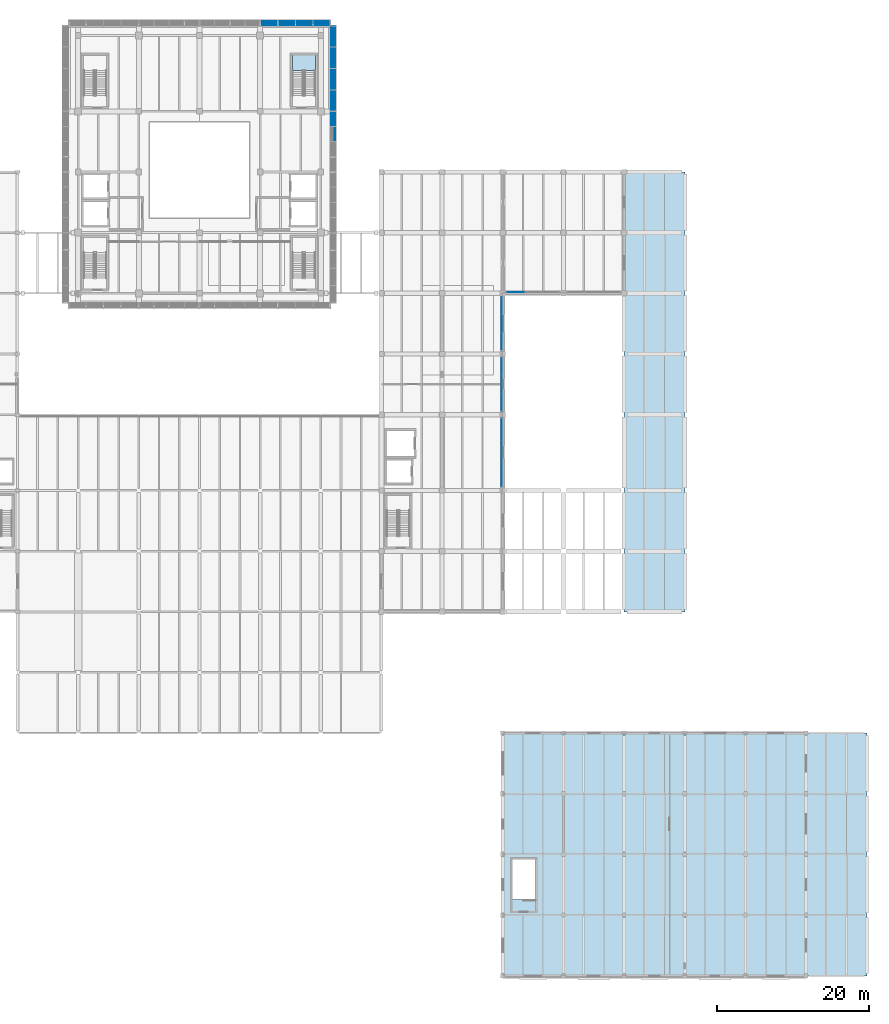
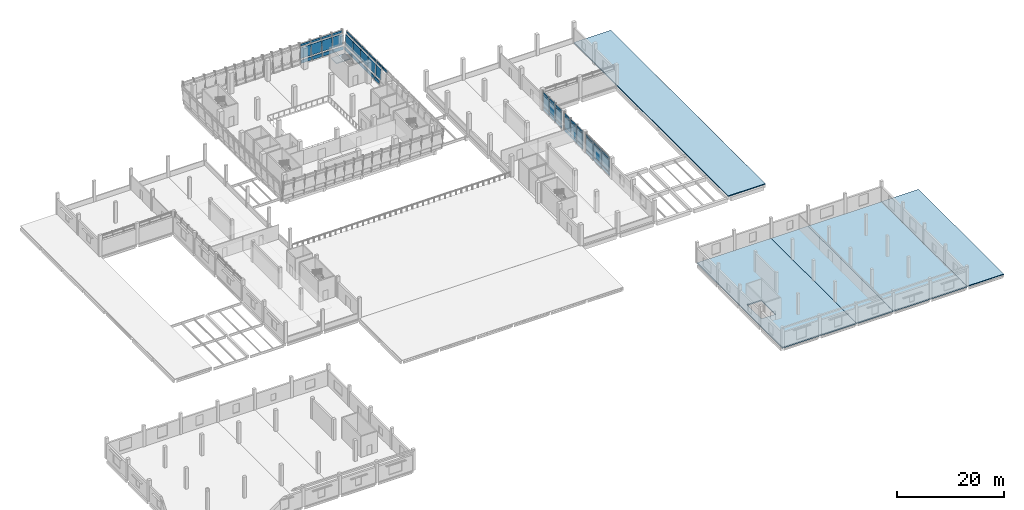
# One storey, part 26 of 52: 56 plates, 6 slabs, 8 elements without a shape of their own.
"""IFC4 building model written with IfcOpenShell, lengths in metres."""

from ifc_helpers import new_model, si_unit, direction, frame, origin, origin_2d, place, context, subcontext, project, spatial, polyline, rectangle, outline, extrude, material, layer, layer_set, type_object, element, aggregate, save


model = new_model("IFC4")

# Units and contexts
model_context = context("Model", 3, precision=1e-05, world=origin(), true_north=direction((0.0, 1.0)))
body_context = subcontext(model_context, "Body", "Model", "MODEL_VIEW")
ifc_project = project(units=[si_unit("LENGTHUNIT", "METRE"), si_unit("AREAUNIT", "SQUARE_METRE"), si_unit("VOLUMEUNIT", "CUBIC_METRE"), si_unit("PLANEANGLEUNIT", "RADIAN"), si_unit("MASSUNIT", "GRAM", prefix="KILO")], contexts=[model_context])

# Site, building, storey
site_placement = place(None, origin())
site = spatial("IfcSite", under=ifc_project, at=site_placement, CompositionType="ELEMENT")
building_placement = place(site_placement, origin())
building = spatial("IfcBuilding", under=site, at=building_placement, Name="Pecanmere Concourse Central Library", CompositionType="ELEMENT")
storey_placement = place(building_placement, frame((0.0, 0.0, 10.5)))
storey = spatial("IfcBuildingStorey", under=building, at=storey_placement, Name="L03", CompositionType="ELEMENT", Elevation=10.5)

# Curtain wall, plates
ifc_material_1 = material(Name="Clear anodized aluminium alloy 6063-T6", Category="aluminium")
curtain_wall_type_1 = type_object("IfcCurtainWallType", Name="CW_CLOISTER_GLAZ", PredefinedType="USERDEFINED", material=ifc_material_1)
curtain_wall_1_placement = place(storey_placement, origin())
curtain_wall_1 = element("IfcCurtainWall", 1, at=curtain_wall_1_placement, inside=storey, type_object=curtain_wall_type_1, Name="Unitised Curtain Wall CW-04 L03-129", ObjectType="UNITISED CURTAIN WALL", PredefinedType="USERDEFINED")
ifc_material_2 = material(Name="White ceramic-fritted insulated spandrel glazing", Category="glass")
ifc_layer_1 = layer(ifc_material_2, 0.053955078125, Name="CWP_SPN_54")
ifc_layer_set_1 = layer_set([ifc_layer_1], Name="White ceramic-fritted insulated spandrel glazing")
plate_type_1 = type_object("IfcPlateType", Name="CWP_SPN_54", PredefinedType="CURTAIN_PANEL", material=ifc_layer_set_1)
plate_1_placement = place(storey_placement, frame((127.85009765625, 66.001708984375, 0.139892578125), z_axis=(0.0, 0.0, 1.0), x_axis=(0.0, 1.0, 0.0)))
plate_1 = element("IfcPlate", 2, at=plate_1_placement, type_object=plate_type_1, Name="CW-04 Spandrel Panel 1.1", PredefinedType="CURTAIN_PANEL", context=body_context, shape_type="SweptSolid", body=[
    extrude(rectangle(XDim=2.92333984375, YDim=0.035888671875, at=origin_2d()), origin(), (0.0, 0.0, 1.0), 0.7900390625),
])
plate_2_placement = place(storey_placement, frame((127.85009765625, 69.0, 0.139892578125), z_axis=(0.0, 0.0, 1.0), x_axis=(0.0, 1.0, 0.0)))
plate_2 = element("IfcPlate", 3, at=plate_2_placement, type_object=plate_type_1, Name="CW-04 Spandrel Panel 2.1", PredefinedType="CURTAIN_PANEL", context=body_context, shape_type="SweptSolid", body=[
    extrude(rectangle(XDim=2.953369140625, YDim=0.035888671875, at=origin_2d()), origin(), (0.0, 0.0, 1.0), 0.7900390625),
])
plate_3_placement = place(storey_placement, frame((127.85009765625, 71.998291015625, 0.139892578125), z_axis=(0.0, 0.0, 1.0), x_axis=(0.0, 1.0, 0.0)))
plate_3 = element("IfcPlate", 4, at=plate_3_placement, type_object=plate_type_1, Name="CW-04 Spandrel Panel 3.1", PredefinedType="CURTAIN_PANEL", context=body_context, shape_type="SweptSolid", body=[
    extrude(rectangle(XDim=2.92333984375, YDim=0.035888671875, at=origin_2d()), origin(), (0.0, 0.0, 1.0), 0.7900390625),
])

curtain_wall_2_placement = place(storey_placement, origin())
curtain_wall_2 = element("IfcCurtainWall", 5, at=curtain_wall_2_placement, inside=storey, type_object=curtain_wall_type_1, Name="Unitised Curtain Wall CW-04 L03-131", ObjectType="UNITISED CURTAIN WALL", PredefinedType="USERDEFINED")
plate_4_placement = place(storey_placement, frame((127.85009765625, 75.668212890625, 0.139892578125), z_axis=(0.0, 0.0, 1.0), x_axis=(0.0, 1.0, 0.0)))
plate_4 = element("IfcPlate", 6, at=plate_4_placement, type_object=plate_type_1, Name="CW-04 Spandrel Panel 1.1", PredefinedType="CURTAIN_PANEL", context=body_context, shape_type="SweptSolid", body=[
    extrude(rectangle(XDim=2.256591796875, YDim=0.035888671875, at=origin_2d()), origin(), (0.0, 0.0, 1.0), 0.7900390625),
])
plate_5_placement = place(storey_placement, frame((127.85009765625, 78.0, 0.139892578125), z_axis=(0.0, 0.0, 1.0), x_axis=(0.0, 1.0, 0.0)))
plate_5 = element("IfcPlate", 7, at=plate_5_placement, type_object=plate_type_1, Name="CW-04 Spandrel Panel 2.1", PredefinedType="CURTAIN_PANEL", context=body_context, shape_type="SweptSolid", body=[
    extrude(rectangle(XDim=2.28662109375, YDim=0.035888671875, at=origin_2d()), origin(), (0.0, 0.0, 1.0), 0.7900390625),
])
plate_6_placement = place(storey_placement, frame((127.85009765625, 80.331787109375, 0.139892578125), z_axis=(0.0, 0.0, 1.0), x_axis=(0.0, 1.0, 0.0)))
plate_6 = element("IfcPlate", 8, at=plate_6_placement, type_object=plate_type_1, Name="CW-04 Spandrel Panel 3.1", PredefinedType="CURTAIN_PANEL", context=body_context, shape_type="SweptSolid", body=[
    extrude(rectangle(XDim=2.256591796875, YDim=0.035888671875, at=origin_2d()), origin(), (0.0, 0.0, 1.0), 0.7900390625),
])

curtain_wall_3_placement = place(storey_placement, origin())
curtain_wall_3 = element("IfcCurtainWall", 9, at=curtain_wall_3_placement, inside=storey, type_object=curtain_wall_type_1, Name="Unitised Curtain Wall CW-04 L03-133", ObjectType="UNITISED CURTAIN WALL", PredefinedType="USERDEFINED")
plate_7_placement = place(storey_placement, frame((127.85009765625, 83.668212890625, 0.139892578125), z_axis=(0.0, 0.0, 1.0), x_axis=(0.0, 1.0, 0.0)))
plate_7 = element("IfcPlate", 10, at=plate_7_placement, type_object=plate_type_1, Name="CW-04 Spandrel Panel 1.1", PredefinedType="CURTAIN_PANEL", context=body_context, shape_type="SweptSolid", body=[
    extrude(rectangle(XDim=2.256591796875, YDim=0.035888671875, at=origin_2d()), origin(), (0.0, 0.0, 1.0), 0.7900390625),
])
plate_8_placement = place(storey_placement, frame((127.85009765625, 86.0, 0.139892578125), z_axis=(0.0, 0.0, 1.0), x_axis=(0.0, 1.0, 0.0)))
plate_8 = element("IfcPlate", 11, at=plate_8_placement, type_object=plate_type_1, Name="CW-04 Spandrel Panel 2.1", PredefinedType="CURTAIN_PANEL", context=body_context, shape_type="SweptSolid", body=[
    extrude(rectangle(XDim=2.28662109375, YDim=0.035888671875, at=origin_2d()), origin(), (0.0, 0.0, 1.0), 0.7900390625),
])
plate_9_placement = place(storey_placement, frame((127.85009765625, 88.331787109375, 0.139892578125), z_axis=(0.0, 0.0, 1.0), x_axis=(0.0, 1.0, 0.0)))
plate_9 = element("IfcPlate", 12, at=plate_9_placement, type_object=plate_type_1, Name="CW-04 Spandrel Panel 3.1", PredefinedType="CURTAIN_PANEL", context=body_context, shape_type="SweptSolid", body=[
    extrude(rectangle(XDim=2.256591796875, YDim=0.035888671875, at=origin_2d()), origin(), (0.0, 0.0, 1.0), 0.7900390625),
])

# Curtain wall, plate
curtain_wall_4_placement = place(storey_placement, origin())
curtain_wall_4 = element("IfcCurtainWall", 13, at=curtain_wall_4_placement, inside=storey, type_object=curtain_wall_type_1, Name="Unitised Curtain Wall CW-04 L03-135", ObjectType="UNITISED CURTAIN WALL", PredefinedType="USERDEFINED")
plate_10_placement = place(storey_placement, frame((129.668212890625, 90.14990234375, 0.139892578125), z_axis=(0.0, 0.0, 1.0), x_axis=(-1.0, 0.0, 0.0)))
plate_10 = element("IfcPlate", 14, at=plate_10_placement, type_object=plate_type_1, Name="CW-04 Spandrel Panel 3.1", PredefinedType="CURTAIN_PANEL", context=body_context, shape_type="SweptSolid", body=[
    extrude(rectangle(XDim=2.256591796875, YDim=0.035888671875, at=origin_2d()), origin(), (0.0, 0.0, 1.0), 0.7900390625),
])
aggregate(curtain_wall_4, [plate_10])

# Curtain wall, plates
ifc_material_3 = material(Name="Anodized bronze aluminium alloy 6063-T6", Category="aluminium")
curtain_wall_type_2 = type_object("IfcCurtainWallType", Name="CW_LEAN_BANDED", PredefinedType="USERDEFINED", material=ifc_material_3)
curtain_wall_5_placement = place(storey_placement, origin())
curtain_wall_5 = element("IfcCurtainWall", 15, at=curtain_wall_5_placement, inside=storey, type_object=curtain_wall_type_2, Name="Unitised Curtain Wall CW-01 L03-022", ObjectType="UNITISED CURTAIN WALL", PredefinedType="USERDEFINED")
ifc_material_4 = material(Name="White ceramic-fritted insulated spandrel glazing", Category="glass")
ifc_layer_2 = layer(ifc_material_4, 0.06396484375, Name="CWP_SPN_64")
ifc_layer_set_2 = layer_set([ifc_layer_2], Name="White ceramic-fritted insulated spandrel glazing")
plate_type_2 = type_object("IfcPlateType", Name="CWP_SPN_64", PredefinedType="CURTAIN_PANEL", material=ifc_layer_set_2)
plate_11_placement = place(storey_placement, frame((104.102783203125, 125.39697265625, 0.18017578125), z_axis=(0.0, 0.0, 1.0), x_axis=(-1.0, 0.0, 0.0)))
plate_11 = element("IfcPlate", 16, at=plate_11_placement, type_object=plate_type_2, Name="CW-01 Spandrel Panel 1.1", PredefinedType="CURTAIN_PANEL", context=body_context, shape_type="SweptSolid", body=[
    extrude(rectangle(XDim=2.20654296875, YDim=0.0419921875, at=origin_2d()), origin(), (0.0, 0.0, 1.0), 0.780029296875),
])
plate_12_placement = place(storey_placement, frame((101.802490234375, 125.39697265625, 0.18017578125), z_axis=(0.0, 0.0, 1.0), x_axis=(-1.0, 0.0, 0.0)))
plate_12 = element("IfcPlate", 17, at=plate_12_placement, type_object=plate_type_2, Name="CW-01 Spandrel Panel 2.1", PredefinedType="CURTAIN_PANEL", context=body_context, shape_type="SweptSolid", body=[
    extrude(rectangle(XDim=2.243896484375, YDim=0.0419921875, at=origin_2d()), origin(), (0.0, 0.0, 1.0), 0.780029296875),
])
plate_13_placement = place(storey_placement, frame((99.4833984375, 125.39697265625, 0.18017578125), z_axis=(0.0, 0.0, 1.0), x_axis=(-1.0, 0.0, 0.0)))
plate_13 = element("IfcPlate", 18, at=plate_13_placement, type_object=plate_type_2, Name="CW-01 Spandrel Panel 3.1", PredefinedType="CURTAIN_PANEL", context=body_context, shape_type="SweptSolid", body=[
    extrude(rectangle(XDim=2.243896484375, YDim=0.0419921875, at=origin_2d()), origin(), (0.0, 0.0, 1.0), 0.780029296875),
])
plate_14_placement = place(storey_placement, frame((97.183349609375, 125.39697265625, 0.18017578125), z_axis=(0.0, 0.0, 1.0), x_axis=(-1.0, 0.0, 0.0)))
plate_14 = element("IfcPlate", 19, at=plate_14_placement, type_object=plate_type_2, Name="CW-01 Spandrel Panel 4.1", PredefinedType="CURTAIN_PANEL", context=body_context, shape_type="SweptSolid", body=[
    extrude(rectangle(XDim=2.20654296875, YDim=0.0419921875, at=origin_2d()), origin(), (0.0, 0.0, 1.0), 0.780029296875),
])

# Curtain wall, plate
curtain_wall_6_placement = place(storey_placement, origin())
curtain_wall_6 = element("IfcCurtainWall", 20, at=curtain_wall_6_placement, inside=storey, type_object=curtain_wall_type_2, Name="Unitised Curtain Wall CW-01 L03-032", ObjectType="UNITISED CURTAIN WALL", PredefinedType="USERDEFINED")
plate_15_placement = place(storey_placement, frame((105.39697265625, 112.9775390625, 0.18017578125), z_axis=(0.0, 0.0, 1.0), x_axis=(0.0, 1.0, 0.0)))
plate_15 = element("IfcPlate", 21, at=plate_15_placement, type_object=plate_type_2, Name="CW-01 Spandrel Panel 4.1", PredefinedType="CURTAIN_PANEL", context=body_context, shape_type="SweptSolid", body=[
    extrude(rectangle(XDim=1.885009765625, YDim=0.0419921875, at=origin_2d()), origin(), (0.0, 0.0, 1.0), 0.780029296875),
])

# Curtain wall, plates
curtain_wall_7_placement = place(storey_placement, origin())
curtain_wall_7 = element("IfcCurtainWall", 22, at=curtain_wall_7_placement, inside=storey, type_object=curtain_wall_type_2, Name="Unitised Curtain Wall CW-01 L03-033", ObjectType="UNITISED CURTAIN WALL", PredefinedType="USERDEFINED")
plate_16_placement = place(storey_placement, frame((105.39697265625, 115.433349609375, 0.18017578125), z_axis=(0.0, 0.0, 1.0), x_axis=(0.0, 1.0, 0.0)))
plate_16 = element("IfcPlate", 23, at=plate_16_placement, type_object=plate_type_2, Name="CW-01 Spandrel Panel 1.1", PredefinedType="CURTAIN_PANEL", context=body_context, shape_type="SweptSolid", body=[
    extrude(rectangle(XDim=2.70654296875, YDim=0.0419921875, at=origin_2d()), origin(), (0.0, 0.0, 1.0), 0.780029296875),
])
plate_17_placement = place(storey_placement, frame((105.39697265625, 118.2333984375, 0.18017578125), z_axis=(0.0, 0.0, 1.0), x_axis=(0.0, 1.0, 0.0)))
plate_17 = element("IfcPlate", 24, at=plate_17_placement, type_object=plate_type_2, Name="CW-01 Spandrel Panel 2.1", PredefinedType="CURTAIN_PANEL", context=body_context, shape_type="SweptSolid", body=[
    extrude(rectangle(XDim=2.743896484375, YDim=0.0419921875, at=origin_2d()), origin(), (0.0, 0.0, 1.0), 0.780029296875),
])
plate_18_placement = place(storey_placement, frame((105.39697265625, 121.052490234375, 0.18017578125), z_axis=(0.0, 0.0, 1.0), x_axis=(0.0, 1.0, 0.0)))
plate_18 = element("IfcPlate", 25, at=plate_18_placement, type_object=plate_type_2, Name="CW-01 Spandrel Panel 3.1", PredefinedType="CURTAIN_PANEL", context=body_context, shape_type="SweptSolid", body=[
    extrude(rectangle(XDim=2.743896484375, YDim=0.0419921875, at=origin_2d()), origin(), (0.0, 0.0, 1.0), 0.780029296875),
])
plate_19_placement = place(storey_placement, frame((105.39697265625, 123.852783203125, 0.18017578125), z_axis=(0.0, 0.0, 1.0), x_axis=(0.0, 1.0, 0.0)))
plate_19 = element("IfcPlate", 26, at=plate_19_placement, type_object=plate_type_2, Name="CW-01 Spandrel Panel 4.1", PredefinedType="CURTAIN_PANEL", context=body_context, shape_type="SweptSolid", body=[
    extrude(rectangle(XDim=2.70654296875, YDim=0.0419921875, at=origin_2d()), origin(), (0.0, 0.0, 1.0), 0.780029296875),
])

# Plate
ifc_material_5 = material(Name="Low-iron clear insulated glazing", Category="glass")
ifc_layer_3 = layer(ifc_material_5, 0.035888671875, Name="CWP_VIS_36")
ifc_layer_set_3 = layer_set([ifc_layer_3], Name="Low-iron clear insulated glazing")
plate_type_3 = type_object("IfcPlateType", Name="CWP_VIS_36", PredefinedType="CURTAIN_PANEL", material=ifc_layer_set_3)
plate_20_placement = place(storey_placement, frame((127.85009765625, 66.001708984375, 1.06982421875), z_axis=(0.0, 0.0, 1.0), x_axis=(0.0, 1.0, 0.0)))
plate_20 = element("IfcPlate", 27, at=plate_20_placement, type_object=plate_type_3, Name="CW-04 Vision Panel 1.2", PredefinedType="CURTAIN_PANEL", context=body_context, shape_type="SweptSolid", body=[
    extrude(rectangle(XDim=2.92333984375, YDim=0.035888671875, at=origin_2d()), origin(), (0.0, 0.0, 1.0), 2.639892578125),
])

plate_21_placement = place(storey_placement, frame((127.85009765625, 66.001708984375, 3.85009765625), z_axis=(0.0, 0.0, 1.0), x_axis=(0.0, 1.0, 0.0)))
plate_21 = element("IfcPlate", 28, at=plate_21_placement, type_object=plate_type_3, Name="CW-04 Vision Panel 1.3", PredefinedType="CURTAIN_PANEL", context=body_context, shape_type="SweptSolid", body=[
    extrude(rectangle(XDim=2.92333984375, YDim=0.035888671875, at=origin_2d()), origin(), (0.0, 0.0, 1.0), 0.489990234375),
])

plate_22_placement = place(storey_placement, frame((127.85009765625, 69.0, 1.06982421875), z_axis=(0.0, 0.0, 1.0), x_axis=(0.0, 1.0, 0.0)))
plate_22 = element("IfcPlate", 29, at=plate_22_placement, type_object=plate_type_3, Name="CW-04 Vision Panel 2.2", PredefinedType="CURTAIN_PANEL", context=body_context, shape_type="SweptSolid", body=[
    extrude(rectangle(XDim=2.953369140625, YDim=0.035888671875, at=origin_2d()), origin(), (0.0, 0.0, 1.0), 2.639892578125),
])

plate_23_placement = place(storey_placement, frame((127.85009765625, 69.0, 3.85009765625), z_axis=(0.0, 0.0, 1.0), x_axis=(0.0, 1.0, 0.0)))
plate_23 = element("IfcPlate", 30, at=plate_23_placement, type_object=plate_type_3, Name="CW-04 Vision Panel 2.3", PredefinedType="CURTAIN_PANEL", context=body_context, shape_type="SweptSolid", body=[
    extrude(rectangle(XDim=2.953369140625, YDim=0.035888671875, at=origin_2d()), origin(), (0.0, 0.0, 1.0), 0.489990234375),
])

plate_24_placement = place(storey_placement, frame((127.85009765625, 71.998291015625, 1.06982421875), z_axis=(0.0, 0.0, 1.0), x_axis=(0.0, 1.0, 0.0)))
plate_24 = element("IfcPlate", 31, at=plate_24_placement, type_object=plate_type_3, Name="CW-04 Vision Panel 3.2", PredefinedType="CURTAIN_PANEL", context=body_context, shape_type="SweptSolid", body=[
    extrude(rectangle(XDim=2.92333984375, YDim=0.035888671875, at=origin_2d()), origin(), (0.0, 0.0, 1.0), 2.639892578125),
])

plate_25_placement = place(storey_placement, frame((127.85009765625, 71.998291015625, 3.85009765625), z_axis=(0.0, 0.0, 1.0), x_axis=(0.0, 1.0, 0.0)))
plate_25 = element("IfcPlate", 32, at=plate_25_placement, type_object=plate_type_3, Name="CW-04 Vision Panel 3.3", PredefinedType="CURTAIN_PANEL", context=body_context, shape_type="SweptSolid", body=[
    extrude(rectangle(XDim=2.92333984375, YDim=0.035888671875, at=origin_2d()), origin(), (0.0, 0.0, 1.0), 0.489990234375),
])

aggregate(curtain_wall_1, [plate_1, plate_20, plate_21, plate_2, plate_22, plate_23, plate_3, plate_24, plate_25])

plate_26_placement = place(storey_placement, frame((127.85009765625, 75.668212890625, 1.06982421875), z_axis=(0.0, 0.0, 1.0), x_axis=(0.0, 1.0, 0.0)))
plate_26 = element("IfcPlate", 33, at=plate_26_placement, type_object=plate_type_3, Name="CW-04 Vision Panel 1.2", PredefinedType="CURTAIN_PANEL", context=body_context, shape_type="SweptSolid", body=[
    extrude(rectangle(XDim=2.256591796875, YDim=0.035888671875, at=origin_2d()), origin(), (0.0, 0.0, 1.0), 2.639892578125),
])

plate_27_placement = place(storey_placement, frame((127.85009765625, 75.668212890625, 3.85009765625), z_axis=(0.0, 0.0, 1.0), x_axis=(0.0, 1.0, 0.0)))
plate_27 = element("IfcPlate", 34, at=plate_27_placement, type_object=plate_type_3, Name="CW-04 Vision Panel 1.3", PredefinedType="CURTAIN_PANEL", context=body_context, shape_type="SweptSolid", body=[
    extrude(rectangle(XDim=2.256591796875, YDim=0.035888671875, at=origin_2d()), origin(), (0.0, 0.0, 1.0), 0.489990234375),
])

plate_28_placement = place(storey_placement, frame((127.85009765625, 78.0, 1.06982421875), z_axis=(0.0, 0.0, 1.0), x_axis=(0.0, 1.0, 0.0)))
plate_28 = element("IfcPlate", 35, at=plate_28_placement, type_object=plate_type_3, Name="CW-04 Vision Panel 2.2", PredefinedType="CURTAIN_PANEL", context=body_context, shape_type="SweptSolid", body=[
    extrude(rectangle(XDim=2.28662109375, YDim=0.035888671875, at=origin_2d()), origin(), (0.0, 0.0, 1.0), 2.639892578125),
])

plate_29_placement = place(storey_placement, frame((127.85009765625, 78.0, 3.85009765625), z_axis=(0.0, 0.0, 1.0), x_axis=(0.0, 1.0, 0.0)))
plate_29 = element("IfcPlate", 36, at=plate_29_placement, type_object=plate_type_3, Name="CW-04 Vision Panel 2.3", PredefinedType="CURTAIN_PANEL", context=body_context, shape_type="SweptSolid", body=[
    extrude(rectangle(XDim=2.28662109375, YDim=0.035888671875, at=origin_2d()), origin(), (0.0, 0.0, 1.0), 0.489990234375),
])

plate_30_placement = place(storey_placement, frame((127.85009765625, 80.331787109375, 1.06982421875), z_axis=(0.0, 0.0, 1.0), x_axis=(0.0, 1.0, 0.0)))
plate_30 = element("IfcPlate", 37, at=plate_30_placement, type_object=plate_type_3, Name="CW-04 Vision Panel 3.2", PredefinedType="CURTAIN_PANEL", context=body_context, shape_type="SweptSolid", body=[
    extrude(rectangle(XDim=2.256591796875, YDim=0.035888671875, at=origin_2d()), origin(), (0.0, 0.0, 1.0), 2.639892578125),
])

plate_31_placement = place(storey_placement, frame((127.85009765625, 80.331787109375, 3.85009765625), z_axis=(0.0, 0.0, 1.0), x_axis=(0.0, 1.0, 0.0)))
plate_31 = element("IfcPlate", 38, at=plate_31_placement, type_object=plate_type_3, Name="CW-04 Vision Panel 3.3", PredefinedType="CURTAIN_PANEL", context=body_context, shape_type="SweptSolid", body=[
    extrude(rectangle(XDim=2.256591796875, YDim=0.035888671875, at=origin_2d()), origin(), (0.0, 0.0, 1.0), 0.489990234375),
])

aggregate(curtain_wall_2, [plate_4, plate_26, plate_27, plate_5, plate_28, plate_29, plate_6, plate_30, plate_31])

plate_32_placement = place(storey_placement, frame((127.85009765625, 83.668212890625, 1.06982421875), z_axis=(0.0, 0.0, 1.0), x_axis=(0.0, 1.0, 0.0)))
plate_32 = element("IfcPlate", 39, at=plate_32_placement, type_object=plate_type_3, Name="CW-04 Vision Panel 1.2", PredefinedType="CURTAIN_PANEL", context=body_context, shape_type="SweptSolid", body=[
    extrude(rectangle(XDim=2.256591796875, YDim=0.035888671875, at=origin_2d()), origin(), (0.0, 0.0, 1.0), 2.639892578125),
])

plate_33_placement = place(storey_placement, frame((127.85009765625, 83.668212890625, 3.85009765625), z_axis=(0.0, 0.0, 1.0), x_axis=(0.0, 1.0, 0.0)))
plate_33 = element("IfcPlate", 40, at=plate_33_placement, type_object=plate_type_3, Name="CW-04 Vision Panel 1.3", PredefinedType="CURTAIN_PANEL", context=body_context, shape_type="SweptSolid", body=[
    extrude(rectangle(XDim=2.256591796875, YDim=0.035888671875, at=origin_2d()), origin(), (0.0, 0.0, 1.0), 0.489990234375),
])

plate_34_placement = place(storey_placement, frame((127.85009765625, 86.0, 1.06982421875), z_axis=(0.0, 0.0, 1.0), x_axis=(0.0, 1.0, 0.0)))
plate_34 = element("IfcPlate", 41, at=plate_34_placement, type_object=plate_type_3, Name="CW-04 Vision Panel 2.2", PredefinedType="CURTAIN_PANEL", context=body_context, shape_type="SweptSolid", body=[
    extrude(rectangle(XDim=2.28662109375, YDim=0.035888671875, at=origin_2d()), origin(), (0.0, 0.0, 1.0), 2.639892578125),
])

plate_35_placement = place(storey_placement, frame((127.85009765625, 86.0, 3.85009765625), z_axis=(0.0, 0.0, 1.0), x_axis=(0.0, 1.0, 0.0)))
plate_35 = element("IfcPlate", 42, at=plate_35_placement, type_object=plate_type_3, Name="CW-04 Vision Panel 2.3", PredefinedType="CURTAIN_PANEL", context=body_context, shape_type="SweptSolid", body=[
    extrude(rectangle(XDim=2.28662109375, YDim=0.035888671875, at=origin_2d()), origin(), (0.0, 0.0, 1.0), 0.489990234375),
])

plate_36_placement = place(storey_placement, frame((127.85009765625, 88.331787109375, 1.06982421875), z_axis=(0.0, 0.0, 1.0), x_axis=(0.0, 1.0, 0.0)))
plate_36 = element("IfcPlate", 43, at=plate_36_placement, type_object=plate_type_3, Name="CW-04 Vision Panel 3.2", PredefinedType="CURTAIN_PANEL", context=body_context, shape_type="SweptSolid", body=[
    extrude(rectangle(XDim=2.256591796875, YDim=0.035888671875, at=origin_2d()), origin(), (0.0, 0.0, 1.0), 2.639892578125),
])

plate_37_placement = place(storey_placement, frame((127.85009765625, 88.331787109375, 3.85009765625), z_axis=(0.0, 0.0, 1.0), x_axis=(0.0, 1.0, 0.0)))
plate_37 = element("IfcPlate", 44, at=plate_37_placement, type_object=plate_type_3, Name="CW-04 Vision Panel 3.3", PredefinedType="CURTAIN_PANEL", context=body_context, shape_type="SweptSolid", body=[
    extrude(rectangle(XDim=2.256591796875, YDim=0.035888671875, at=origin_2d()), origin(), (0.0, 0.0, 1.0), 0.489990234375),
])

aggregate(curtain_wall_3, [plate_7, plate_32, plate_33, plate_8, plate_34, plate_35, plate_9, plate_36, plate_37])

ifc_material_6 = material(Name="Low-iron clear insulated glazing", Category="glass")
ifc_layer_4 = layer(ifc_material_6, 0.0419921875, Name="CWP_VIS_42")
ifc_layer_set_4 = layer_set([ifc_layer_4], Name="Low-iron clear insulated glazing")
plate_type_4 = type_object("IfcPlateType", Name="CWP_VIS_42", PredefinedType="CURTAIN_PANEL", material=ifc_layer_set_4)
plate_38_placement = place(storey_placement, frame((104.102783203125, 125.639892578125, 1.139892578125), z_axis=(0.0, 0.0, 1.0), x_axis=(-1.0, 0.0, 0.0)))
plate_38 = element("IfcPlate", 45, at=plate_38_placement, type_object=plate_type_4, Name="CW-01 Vision Panel 1.2", PredefinedType="CURTAIN_PANEL", context=body_context, shape_type="SweptSolid", body=[
    extrude(rectangle(XDim=2.20654296875, YDim=0.0419921875, at=origin_2d()), origin(), (0.0, 0.0, 1.0), 2.5),
])

plate_39_placement = place(storey_placement, frame((104.102783203125, 125.86279296875, 3.820068359375), z_axis=(0.0, 0.0, 1.0), x_axis=(-1.0, 0.0, 0.0)))
plate_39 = element("IfcPlate", 46, at=plate_39_placement, type_object=plate_type_4, Name="CW-01 Vision Panel 1.3", PredefinedType="CURTAIN_PANEL", context=body_context, shape_type="SweptSolid", body=[
    extrude(rectangle(XDim=2.20654296875, YDim=0.0419921875, at=origin_2d()), origin(), (0.0, 0.0, 1.0), 0.47998046875),
])

plate_40_placement = place(storey_placement, frame((101.802490234375, 125.639892578125, 1.139892578125), z_axis=(0.0, 0.0, 1.0), x_axis=(-1.0, 0.0, 0.0)))
plate_40 = element("IfcPlate", 47, at=plate_40_placement, type_object=plate_type_4, Name="CW-01 Vision Panel 2.2", PredefinedType="CURTAIN_PANEL", context=body_context, shape_type="SweptSolid", body=[
    extrude(rectangle(XDim=2.243896484375, YDim=0.0419921875, at=origin_2d()), origin(), (0.0, 0.0, 1.0), 2.5),
])

plate_41_placement = place(storey_placement, frame((101.802490234375, 125.86279296875, 3.820068359375), z_axis=(0.0, 0.0, 1.0), x_axis=(-1.0, 0.0, 0.0)))
plate_41 = element("IfcPlate", 48, at=plate_41_placement, type_object=plate_type_4, Name="CW-01 Vision Panel 2.3", PredefinedType="CURTAIN_PANEL", context=body_context, shape_type="SweptSolid", body=[
    extrude(rectangle(XDim=2.243896484375, YDim=0.0419921875, at=origin_2d()), origin(), (0.0, 0.0, 1.0), 0.47998046875),
])

plate_42_placement = place(storey_placement, frame((99.4833984375, 125.639892578125, 1.139892578125), z_axis=(0.0, 0.0, 1.0), x_axis=(-1.0, 0.0, 0.0)))
plate_42 = element("IfcPlate", 49, at=plate_42_placement, type_object=plate_type_4, Name="CW-01 Vision Panel 3.2", PredefinedType="CURTAIN_PANEL", context=body_context, shape_type="SweptSolid", body=[
    extrude(rectangle(XDim=2.243896484375, YDim=0.0419921875, at=origin_2d()), origin(), (0.0, 0.0, 1.0), 2.5),
])

plate_43_placement = place(storey_placement, frame((99.4833984375, 125.86279296875, 3.820068359375), z_axis=(0.0, 0.0, 1.0), x_axis=(-1.0, 0.0, 0.0)))
plate_43 = element("IfcPlate", 50, at=plate_43_placement, type_object=plate_type_4, Name="CW-01 Vision Panel 3.3", PredefinedType="CURTAIN_PANEL", context=body_context, shape_type="SweptSolid", body=[
    extrude(rectangle(XDim=2.243896484375, YDim=0.0419921875, at=origin_2d()), origin(), (0.0, 0.0, 1.0), 0.47998046875),
])

plate_44_placement = place(storey_placement, frame((97.183349609375, 125.639892578125, 1.139892578125), z_axis=(0.0, 0.0, 1.0), x_axis=(-1.0, 0.0, 0.0)))
plate_44 = element("IfcPlate", 51, at=plate_44_placement, type_object=plate_type_4, Name="CW-01 Vision Panel 4.2", PredefinedType="CURTAIN_PANEL", context=body_context, shape_type="SweptSolid", body=[
    extrude(rectangle(XDim=2.20654296875, YDim=0.0419921875, at=origin_2d()), origin(), (0.0, 0.0, 1.0), 2.5),
])

plate_45_placement = place(storey_placement, frame((97.183349609375, 125.86279296875, 3.820068359375), z_axis=(0.0, 0.0, 1.0), x_axis=(-1.0, 0.0, 0.0)))
plate_45 = element("IfcPlate", 52, at=plate_45_placement, type_object=plate_type_4, Name="CW-01 Vision Panel 4.3", PredefinedType="CURTAIN_PANEL", context=body_context, shape_type="SweptSolid", body=[
    extrude(rectangle(XDim=2.20654296875, YDim=0.0419921875, at=origin_2d()), origin(), (0.0, 0.0, 1.0), 0.47998046875),
])

aggregate(curtain_wall_5, [plate_11, plate_38, plate_39, plate_12, plate_40, plate_41, plate_13, plate_42, plate_43, plate_14, plate_44, plate_45])

plate_46_placement = place(storey_placement, frame((105.86279296875, 110.998779296875, 3.820068359375), z_axis=(0.0, 0.0, 1.0), x_axis=(0.0, 1.0, 0.0)))
plate_46 = element("IfcPlate", 53, at=plate_46_placement, type_object=plate_type_4, Name="CW-01 Vision Panel 3.3", PredefinedType="CURTAIN_PANEL", context=body_context, shape_type="SweptSolid", body=[
    extrude(rectangle(XDim=1.922607421875, YDim=0.0419921875, at=origin_2d()), origin(), (0.0, 0.0, 1.0), 0.47998046875),
])

plate_47_placement = place(storey_placement, frame((105.639892578125, 112.9775390625, 1.139892578125), z_axis=(0.0, 0.0, 1.0), x_axis=(0.0, 1.0, 0.0)))
plate_47 = element("IfcPlate", 54, at=plate_47_placement, type_object=plate_type_4, Name="CW-01 Vision Panel 4.2", PredefinedType="CURTAIN_PANEL", context=body_context, shape_type="SweptSolid", body=[
    extrude(rectangle(XDim=1.885009765625, YDim=0.0419921875, at=origin_2d()), origin(), (0.0, 0.0, 1.0), 2.5),
])

plate_48_placement = place(storey_placement, frame((105.86279296875, 112.9775390625, 3.820068359375), z_axis=(0.0, 0.0, 1.0), x_axis=(0.0, 1.0, 0.0)))
plate_48 = element("IfcPlate", 55, at=plate_48_placement, type_object=plate_type_4, Name="CW-01 Vision Panel 4.3", PredefinedType="CURTAIN_PANEL", context=body_context, shape_type="SweptSolid", body=[
    extrude(rectangle(XDim=1.885009765625, YDim=0.0419921875, at=origin_2d()), origin(), (0.0, 0.0, 1.0), 0.47998046875),
])

aggregate(curtain_wall_6, [plate_46, plate_15, plate_47, plate_48])

plate_49_placement = place(storey_placement, frame((105.639892578125, 115.433349609375, 1.139892578125), z_axis=(0.0, 0.0, 1.0), x_axis=(0.0, 1.0, 0.0)))
plate_49 = element("IfcPlate", 56, at=plate_49_placement, type_object=plate_type_4, Name="CW-01 Vision Panel 1.2", PredefinedType="CURTAIN_PANEL", context=body_context, shape_type="SweptSolid", body=[
    extrude(rectangle(XDim=2.70654296875, YDim=0.0419921875, at=origin_2d()), origin(), (0.0, 0.0, 1.0), 2.5),
])

plate_50_placement = place(storey_placement, frame((105.86279296875, 115.433349609375, 3.820068359375), z_axis=(0.0, 0.0, 1.0), x_axis=(0.0, 1.0, 0.0)))
plate_50 = element("IfcPlate", 57, at=plate_50_placement, type_object=plate_type_4, Name="CW-01 Vision Panel 1.3", PredefinedType="CURTAIN_PANEL", context=body_context, shape_type="SweptSolid", body=[
    extrude(rectangle(XDim=2.70654296875, YDim=0.0419921875, at=origin_2d()), origin(), (0.0, 0.0, 1.0), 0.47998046875),
])

plate_51_placement = place(storey_placement, frame((105.639892578125, 118.2333984375, 1.139892578125), z_axis=(0.0, 0.0, 1.0), x_axis=(0.0, 1.0, 0.0)))
plate_51 = element("IfcPlate", 58, at=plate_51_placement, type_object=plate_type_4, Name="CW-01 Vision Panel 2.2", PredefinedType="CURTAIN_PANEL", context=body_context, shape_type="SweptSolid", body=[
    extrude(rectangle(XDim=2.743896484375, YDim=0.0419921875, at=origin_2d()), origin(), (0.0, 0.0, 1.0), 2.5),
])

plate_52_placement = place(storey_placement, frame((105.86279296875, 118.2333984375, 3.820068359375), z_axis=(0.0, 0.0, 1.0), x_axis=(0.0, 1.0, 0.0)))
plate_52 = element("IfcPlate", 59, at=plate_52_placement, type_object=plate_type_4, Name="CW-01 Vision Panel 2.3", PredefinedType="CURTAIN_PANEL", context=body_context, shape_type="SweptSolid", body=[
    extrude(rectangle(XDim=2.743896484375, YDim=0.0419921875, at=origin_2d()), origin(), (0.0, 0.0, 1.0), 0.47998046875),
])

plate_53_placement = place(storey_placement, frame((105.639892578125, 121.052490234375, 1.139892578125), z_axis=(0.0, 0.0, 1.0), x_axis=(0.0, 1.0, 0.0)))
plate_53 = element("IfcPlate", 60, at=plate_53_placement, type_object=plate_type_4, Name="CW-01 Vision Panel 3.2", PredefinedType="CURTAIN_PANEL", context=body_context, shape_type="SweptSolid", body=[
    extrude(rectangle(XDim=2.743896484375, YDim=0.0419921875, at=origin_2d()), origin(), (0.0, 0.0, 1.0), 2.5),
])

plate_54_placement = place(storey_placement, frame((105.86279296875, 121.052490234375, 3.820068359375), z_axis=(0.0, 0.0, 1.0), x_axis=(0.0, 1.0, 0.0)))
plate_54 = element("IfcPlate", 61, at=plate_54_placement, type_object=plate_type_4, Name="CW-01 Vision Panel 3.3", PredefinedType="CURTAIN_PANEL", context=body_context, shape_type="SweptSolid", body=[
    extrude(rectangle(XDim=2.743896484375, YDim=0.0419921875, at=origin_2d()), origin(), (0.0, 0.0, 1.0), 0.47998046875),
])

plate_55_placement = place(storey_placement, frame((105.639892578125, 123.852783203125, 1.139892578125), z_axis=(0.0, 0.0, 1.0), x_axis=(0.0, 1.0, 0.0)))
plate_55 = element("IfcPlate", 62, at=plate_55_placement, type_object=plate_type_4, Name="CW-01 Vision Panel 4.2", PredefinedType="CURTAIN_PANEL", context=body_context, shape_type="SweptSolid", body=[
    extrude(rectangle(XDim=2.70654296875, YDim=0.0419921875, at=origin_2d()), origin(), (0.0, 0.0, 1.0), 2.5),
])

plate_56_placement = place(storey_placement, frame((105.86279296875, 123.852783203125, 3.820068359375), z_axis=(0.0, 0.0, 1.0), x_axis=(0.0, 1.0, 0.0)))
plate_56 = element("IfcPlate", 63, at=plate_56_placement, type_object=plate_type_4, Name="CW-01 Vision Panel 4.3", PredefinedType="CURTAIN_PANEL", context=body_context, shape_type="SweptSolid", body=[
    extrude(rectangle(XDim=2.70654296875, YDim=0.0419921875, at=origin_2d()), origin(), (0.0, 0.0, 1.0), 0.47998046875),
])

aggregate(curtain_wall_7, [plate_16, plate_49, plate_50, plate_17, plate_51, plate_52, plate_18, plate_53, plate_54, plate_19, plate_55, plate_56])

# Stair, slab
ifc_material_7 = material(Name="Concrete C35/45", Category="concrete")
stair_type = type_object("IfcStairType", Name="STAIR_TYPE_ST-04-1846", PredefinedType="USERDEFINED", material=ifc_material_7)
stair_placement = place(storey_placement, origin())
stair = element("IfcStair", 64, at=stair_placement, inside=storey, type_object=stair_type, Name="L03 Protected Stair ST-04", ObjectType="TWO_RETURN_STAIR", PredefinedType="USERDEFINED")
ifc_material_8 = material(Name="Concrete C35/45", Category="concrete")
ifc_layer_5 = layer(ifc_material_8, 0.199951171875, Name="SLAB_LANDING_200")
ifc_layer_set_5 = layer_set([ifc_layer_5], Name="Concrete C35/45")
slab_type_1 = type_object("IfcSlabType", Name="SLAB_LANDING_200", PredefinedType="LANDING", material=ifc_layer_set_5)
slab_1_placement = place(storey_placement, frame((0.0, 0.0, 2.199951171875)))
slab_1 = element("IfcSlab", 65, at=slab_1_placement, type_object=slab_type_1, Name="ST-04-1846 landing 1", PredefinedType="LANDING", context=body_context, shape_type="SweptSolid", body=[
    extrude(outline(polyline([(103.300048828125, 119.409912109375), (103.300048828125, 121.419921875), (100.239990234375, 121.419921875), (100.239990234375, 119.409912109375), (103.300048828125, 119.409912109375)])), origin(), (0.0, 0.0, 1.0), 0.199951171875),
])
aggregate(stair, [slab_1])

# Slabs
ifc_material_9 = material(Name="Concrete C35/45", Category="concrete")
ifc_layer_6 = layer(ifc_material_9, 0.264892578125, Name="SLAB_READ_265")
ifc_layer_set_6 = layer_set([ifc_layer_6], Name="Concrete C35/45")
slab_type_2 = type_object("IfcSlabType", Name="SLAB_READ_265", PredefinedType="FLOOR", material=ifc_layer_set_6)
slab_2_placement = place(storey_placement, frame((0.0, 0.0, -0.264892578125)))
element("IfcSlab", 66, at=slab_2_placement, inside=storey, type_object=slab_type_2, Name="Floor Slab V5 L03-117", PredefinedType="FLOOR", context=body_context, shape_type="SweptSolid", body=[
    extrude(outline(polyline([(144.0, 0.0), (128.0, 0.0), (128.0, 32.0), (144.0, 32.0), (144.0, 0.0)]), holes=[polyline([(132.300048828125, 15.3701171875), (129.239990234375, 15.3701171875), (129.239990234375, 10.030029296875), (132.300048828125, 10.030029296875), (132.300048828125, 15.3701171875)])]), origin(), (0.0, 0.0, 1.0), 0.264892578125),
])
slab_3_placement = place(storey_placement, frame((0.0, 0.0, -0.264892578125)))
element("IfcSlab", 67, at=slab_3_placement, inside=storey, type_object=slab_type_2, Name="Floor Slab V5 L03-118", PredefinedType="FLOOR", context=body_context, shape_type="SweptSolid", body=[
    extrude(outline(polyline([(144.0, 32.0), (152.0, 32.0), (152.0, 1.60009765625), (151.919921875, 1.60009765625), (151.919921875, 1.0), (152.0, 1.0), (152.0, 0.0), (144.0, 0.0), (144.0, 32.0)])), origin(), (0.0, 0.0, 1.0), 0.264892578125),
])
slab_4_placement = place(storey_placement, frame((0.0, 0.0, -0.264892578125)))
element("IfcSlab", 68, at=slab_4_placement, inside=storey, type_object=slab_type_2, Name="Floor Slab V5 L03-119", PredefinedType="FLOOR", context=body_context, shape_type="SweptSolid", body=[
    extrude(outline(polyline([(152.0, 32.0), (168.0, 32.0), (168.0, 1.60009765625), (167.919921875, 1.60009765625), (167.919921875, 1.0), (168.0, 1.0), (168.0, 0.0), (152.0, 0.0), (152.0, 32.0)])), origin(), (0.0, 0.0, 1.0), 0.264892578125),
])
ifc_material_10 = material(Name="Concrete C35/45", Category="concrete")
ifc_layer_7 = layer(ifc_material_10, 0.215087890625, Name="SLAB_ROOF_215")
ifc_layer_set_7 = layer_set([ifc_layer_7], Name="Concrete C35/45")
slab_type_3 = type_object("IfcSlabType", Name="SLAB_ROOF_215", PredefinedType="ROOF", material=ifc_layer_set_7)
slab_5_placement = place(storey_placement, frame((0.0, 0.0, -0.215087890625)))
element("IfcSlab", 69, at=slab_5_placement, inside=storey, type_object=slab_type_3, Name="Wing Roof Slab ROOF_V2_EAST_L03", PredefinedType="ROOF", context=body_context, shape_type="SweptSolid", body=[
    extrude(outline(polyline([(152.0, 48.0), (152.0, 106.0), (144.0, 106.0), (144.0, 48.0), (152.0, 48.0)])), origin(), (0.0, 0.0, 1.0), 0.215087890625),
])
slab_6_placement = place(storey_placement, frame((0.0, 0.0, -0.215087890625)))
element("IfcSlab", 70, at=slab_6_placement, inside=storey, type_object=slab_type_3, Name="Wing Roof Slab ROOF_V5_EAST_L03", PredefinedType="ROOF", context=body_context, shape_type="SweptSolid", body=[
    extrude(outline(polyline([(176.0, 0.0), (176.0, 32.0), (168.0, 32.0), (168.0, 0.0), (176.0, 0.0)])), origin(), (0.0, 0.0, 1.0), 0.215087890625),
])

save(model, "model.ifc")
